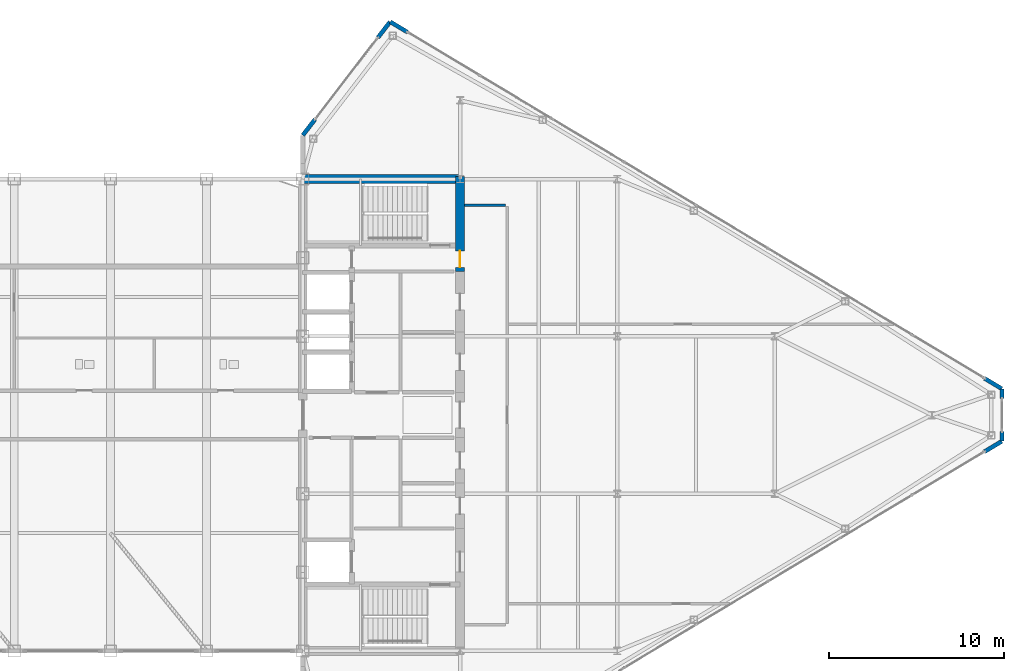
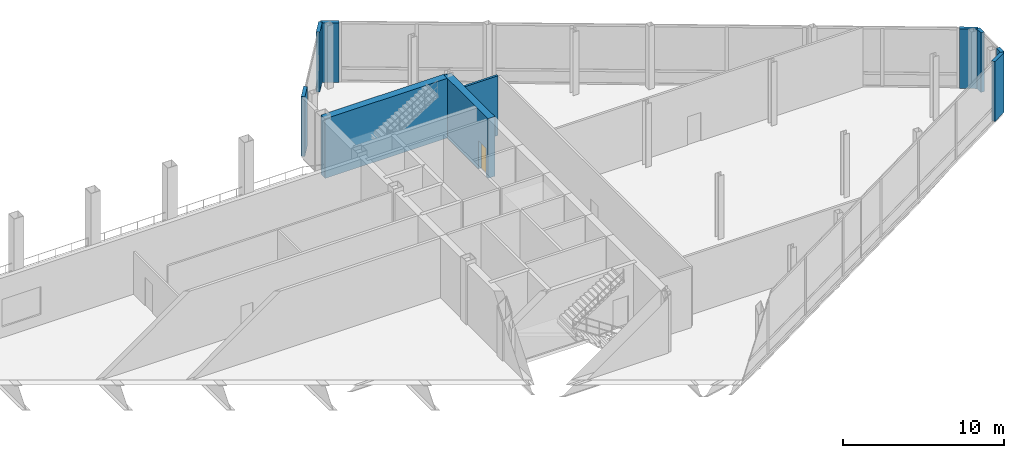
# One storey, part 25 of 28: 10 walls, 1 door, 1 opening.
"""IFC4 building model written with IfcOpenShell, lengths in metres."""

from ifc_helpers import new_model, si_unit, direction, frame, frame_2d, origin, place, context, subcontext, project, spatial, rectangle, extrude, source, transform, mapped, material, layer, layer_set, type_object, type_shapes, element, fill, save


model = new_model("IFC4")

# Units and contexts
model_context = context("Model", 3, precision=1e-05, world=origin(), true_north=direction((0.0, 1.0)))
body_context = subcontext(model_context, "Body", "Model", "MODEL_VIEW")
ifc_project = project(units=[si_unit("LENGTHUNIT", "METRE"), si_unit("AREAUNIT", "SQUARE_METRE"), si_unit("VOLUMEUNIT", "CUBIC_METRE"), si_unit("PLANEANGLEUNIT", "RADIAN"), si_unit("MASSUNIT", "GRAM", prefix="KILO")], contexts=[model_context])

# Site, building, storey
site_placement = place(None, origin())
site = spatial("IfcSite", under=ifc_project, at=site_placement, CompositionType="ELEMENT")
building_placement = place(site_placement, origin())
building = spatial("IfcBuilding", under=site, at=building_placement, Name="Seokmaru Belvedere", CompositionType="ELEMENT")
storey_placement = place(building_placement, frame((0.0, 0.0, 274.199951171875)))
storey = spatial("IfcBuildingStorey", under=building, at=storey_placement, Name="L72", CompositionType="ELEMENT", Elevation=274.199951171875)

# Walls
ifc_material_1 = material(Name="Fire-Rated Gypsum Shaftwall")
ifc_layer_1 = layer(ifc_material_1, 0.14990234375)
ifc_layer_set_1 = layer_set([ifc_layer_1], Name="Fire-Rated Gypsum Shaftwall")
wall_type_1 = type_object("IfcWallType", Name="Apartment Fire-Acoustic Room Partition 150", PredefinedType="PARTITIONING", material=ifc_layer_set_1)
wall_1_placement = place(storey_placement, frame((36.7548828125, 12.0, 0.0), z_axis=(0.0, 0.0, 1.0), x_axis=(1.0, 0.0, 0.0)))
element("IfcWall", 1, at=wall_1_placement, inside=storey, type_object=wall_type_1, Name="L72 Interior Partition 011", PredefinedType="PARTITIONING", context=body_context, shape_type="SweptSolid", body=[
    extrude(rectangle(XDim=2.360107421875, YDim=0.14990234375, at=frame_2d((1.18017578125, 0.0))), origin(), (0.0, 0.0, 1.0), 4.52001953125),
])
ifc_material_2 = material(Name="Anodised Bronze Aluminium", Category="aluminium")
ifc_layer_2 = layer(ifc_material_2, 0.239990234375)
ifc_layer_set_2 = layer_set([ifc_layer_2], Name="Anodised Bronze Aluminium")
wall_type_2 = type_object("IfcWallType", Name="Tower Corner Spandrel Closure Wall 240", PredefinedType="SOLIDWALL", material=ifc_layer_set_2)
wall_2_placement = place(storey_placement, frame((66.513916015625, -2.091796875, 0.0), z_axis=(0.0, 0.0, 1.0), x_axis=(0.85743623509, 0.514590228002, 0.0)))
element("IfcWall", 2, at=wall_2_placement, inside=storey, type_object=wall_type_2, Name="L72 E Corner Closure Pier 1B", PredefinedType="SOLIDWALL", context=body_context, shape_type="SweptSolid", body=[
    extrude(rectangle(XDim=1.14013671875, YDim=0.239990234375, at=frame_2d((0.570068359375, 0.0))), origin(), (0.0, 0.0, 1.0), 4.52001953125),
])
for number, where, z_axis, x_axis, name in (
    (3, (67.5, -1.489990234375, 0.0), (0.0, 0.0, 1.0), (0.0, 1.0, 0.0), "L72 E Apex Closure Pier 2A"),
    (4, (67.5, 0.949951171875, 0.0), (0.0, 0.0, 1.0), (0.0, 1.0, 0.0), "L72 E Apex Closure Pier 2B"),
):
    element("IfcWall", number, at=place(storey_placement, frame(where, z_axis=z_axis, x_axis=x_axis)), inside=storey, type_object=wall_type_2, Name=name, PredefinedType="SOLIDWALL", context=body_context, shape_type="SweptSolid", body=[
        extrude(rectangle(XDim=0.5400390625, YDim=0.239990234375, at=frame_2d((0.27001953125, 0.0))), origin(), (0.0, 0.0, 1.0), 4.52001953125),
    ])
for number, where, z_axis, x_axis, name in (
    (5, (67.491455078125, 1.505126953125, 0.0), (0.0, 0.0, 1.0), (-0.85743623509, 0.514590228002, 0.0), "L72 E Corner Closure Pier 3A"),
    (6, (33.486083984375, 21.908203125, 0.0), (0.0, 0.0, 1.0), (-0.85743623509, 0.514590228002, 0.0), "L72 E Corner Closure Pier 3B"),
    (7, (32.493896484375, 22.4921875, 0.0), (0.0, 0.0, 1.0), (-0.609617623633, -0.792695624408, 0.0), "L72 E Corner Closure Pier 4A"),
    (8, (28.201171875, 16.91162109375, 0.0), (0.0, 0.0, 1.0), (-0.609617623633, -0.792695624408, 0.0), "L72 E Corner Closure Pier 4B"),
):
    element("IfcWall", number, at=place(storey_placement, frame(where, z_axis=z_axis, x_axis=x_axis)), inside=storey, type_object=wall_type_2, Name=name, PredefinedType="SOLIDWALL", context=body_context, shape_type="SweptSolid", body=[
        extrude(rectangle(XDim=1.14013671875, YDim=0.239990234375, at=frame_2d((0.570068359375, 0.0))), origin(), (0.0, 0.0, 1.0), 4.52001953125),
    ])
ifc_material_3 = material(Name="Concrete C50 (50 MPa)", Category="concrete")
ifc_layer_3 = layer(ifc_material_3, 0.5)
ifc_layer_set_3 = layer_set([ifc_layer_3], Name="Concrete C50 (50 MPa)")
wall_type_3 = type_object("IfcWallType", Name="Upper Tower Reinforced Concrete Core Wall 500", PredefinedType="SHEAR", material=ifc_layer_set_3)
wall_3_placement = place(storey_placement, frame((27.5, 13.5, 0.0), z_axis=(0.0, 0.0, 1.0), x_axis=(1.0, 0.0, 0.0)))
element("IfcWall", 9, at=wall_3_placement, inside=storey, type_object=wall_type_3, Name="L72 East North Core Wall", PredefinedType="SHEAR", context=body_context, shape_type="SweptSolid", body=[
    extrude(rectangle(XDim=9.0, YDim=0.5, at=frame_2d((4.5, 0.0))), origin(), (0.0, 0.0, 1.0), 4.52001953125),
])

# Wall, opening, door
wall_4_placement = place(storey_placement, frame((36.5, 8.199951171875, 0.0), z_axis=(0.0, 0.0, 1.0), x_axis=(0.0, 1.0, 0.0)))
wall_4 = element("IfcWall", 10, at=wall_4_placement, inside=storey, type_object=wall_type_3, Name="L72 East West Core Wall VST", PredefinedType="SHEAR", context=body_context, shape_type="SweptSolid", body=[
    extrude(rectangle(XDim=5.449951171875, YDim=0.5, at=frame_2d((2.72509765625, 0.0))), origin(), (0.0, 0.0, 1.0), 4.52001953125),
])
opening_placement = place(wall_4_placement, frame((0.2451171875, 0.0, 0.0)))
opening = element("IfcOpeningElement", 11, at=opening_placement, cuts=wall_4, Name="Opening D04", PredefinedType="OPENING", context=body_context, shape_type="SweptSolid", body=[
    extrude(rectangle(XDim=0.949951171875, YDim=2.14990234375, at=frame_2d((0.47509765625, 1.074951171875))), frame((0.0, 0.260009765625, 0.0), z_axis=(0.0, -1.0, 0.0), x_axis=(1.0, 0.0, 0.0)), (0.0, 0.0, 1.0), 0.52001953125),
])
ifc_material_4 = material(Name="Fire-Rated Steel Leaf", Category="steel")
door_type = type_object("IfcDoorType", Name="Core Service Room Fire Door 950x2150", OperationType="NOTDEFINED", PredefinedType="DOOR", material=ifc_material_4)
shared_shape = source(origin(), body_context, "Body", "SweptSolid", [
    extrude(rectangle(XDim=0.949951171875, YDim=2.14990234375, at=frame_2d((0.47509765625, 1.074951171875))), frame((0.0, 0.02490234375, 0.0), z_axis=(0.0, -1.0, 0.0), x_axis=(1.0, 0.0, 0.0)), (0.0, 0.0, 1.0), 0.050048828125),
])
type_shapes(door_type, [shared_shape])
door_placement = place(opening_placement, origin())
door = element("IfcDoor", 12, at=door_placement, inside=storey, type_object=door_type, Name="L72 East Smokeproof Vestibule Door", OperationType="SINGLE_SWING_LEFT", OverallHeight=2.14990234375, OverallWidth=0.949951171875, PredefinedType="DOOR", context=body_context, shape_type="MappedRepresentation", body=[
    mapped(shared_shape, transform((0.0, 0.0, 0.0), scale=1.0)),
])
fill(opening, door)

save(model, "model.ifc")
